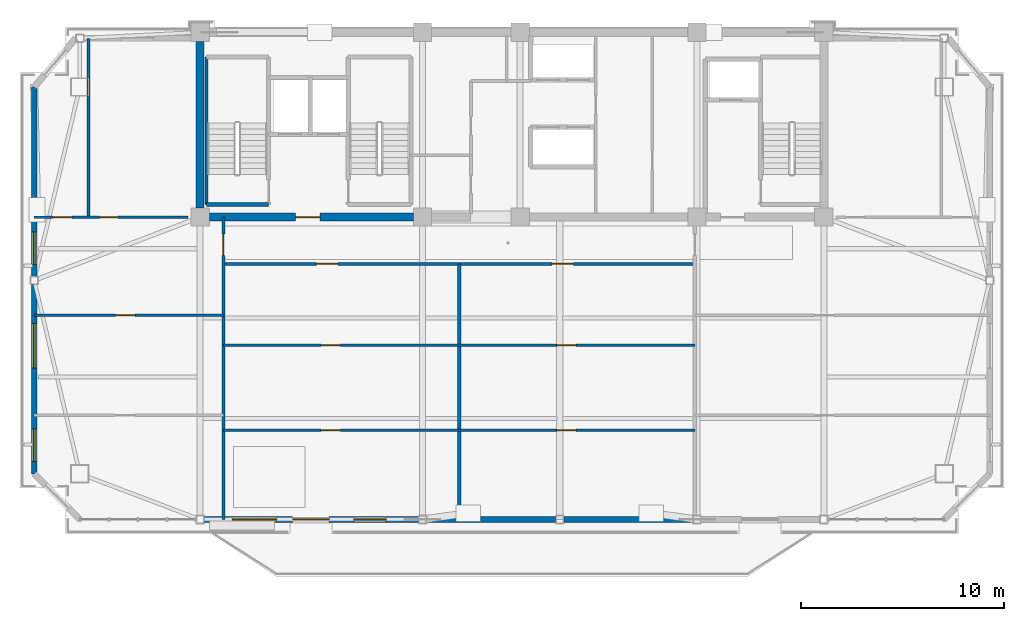
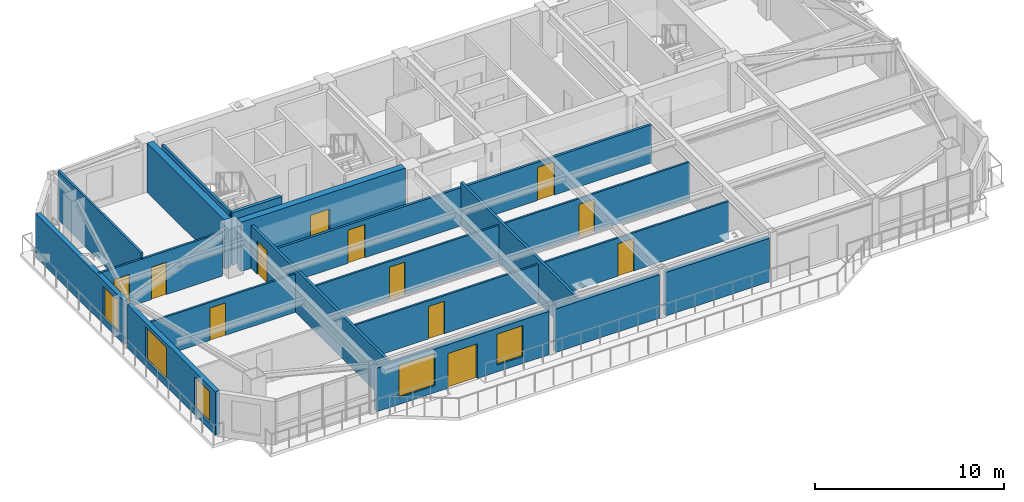
# One storey, part 6 of 13: 19 walls, 12 doors, 5 windows, 17 openings.
"""IFC4 building model written with IfcOpenShell, lengths in metres."""

from ifc_helpers import new_model, si_unit, direction, frame, frame_2d, origin, place, context, subcontext, project, spatial, rectangle, extrude, source, transform, mapped, material, layer, layer_set, type_object, element, fill, save


model = new_model("IFC4")

# Units and contexts
model_context = context("Model", 3, precision=1e-05, world=origin(), true_north=direction((0.0, 1.0)))
body_context = subcontext(model_context, "Body", "Model", "MODEL_VIEW")
ifc_project = project(units=[si_unit("LENGTHUNIT", "METRE"), si_unit("AREAUNIT", "SQUARE_METRE"), si_unit("VOLUMEUNIT", "CUBIC_METRE"), si_unit("PLANEANGLEUNIT", "RADIAN"), si_unit("MASSUNIT", "GRAM", prefix="KILO")], contexts=[model_context])

# Site, building, storey
site_placement = place(None, origin())
site = spatial("IfcSite", under=ifc_project, at=site_placement, CompositionType="ELEMENT")
building_placement = place(site_placement, origin())
building = spatial("IfcBuilding", under=site, at=building_placement, Name="Giltprow Tower", CompositionType="ELEMENT")
storey_placement = place(building_placement, frame((0.0, 0.0, 335.699951171875)))
storey = spatial("IfcBuildingStorey", under=building, at=storey_placement, Name="L87", CompositionType="ELEMENT", Elevation=335.699951171875)

# Wall, openings, windows, door
ifc_material_1 = material(Name="Precast concrete C40", Category="concrete")
ifc_layer_1 = layer(ifc_material_1, 0.280029296875, Name="Precast concrete C40")
ifc_layer_set_1 = layer_set([ifc_layer_1], Name="Precast concrete C40")
wall_type_1 = type_object("IfcWallType", Name="EW-TOW-BRONZE-280", PredefinedType="SOLIDWALL", material=ifc_layer_set_1)
wall_1_placement = place(storey_placement, frame((20.050048828125, 22.568115234375, 0.0), z_axis=(0.0, 0.0, 1.0), x_axis=(1.0, 0.0, 0.0)))
wall_1 = element("IfcWall", 1, at=wall_1_placement, inside=storey, type_object=wall_type_1, Name="L87 South Expressed Frame Wall 2", PredefinedType="SOLIDWALL", context=body_context, shape_type="SweptSolid", body=[
    extrude(rectangle(XDim=10.550048828125, YDim=0.280029296875, at=frame_2d((5.27490234375, 0.0))), origin(), (0.0, 0.0, 1.0), 2.81494140625),
])
opening_1_placement = place(wall_1_placement, frame((4.35009765625, 0.0, 0.0)))
opening_1 = element("IfcOpeningElement", 2, at=opening_1_placement, cuts=wall_1, Name="Opening ED25", PredefinedType="OPENING", context=body_context, shape_type="SweptSolid", body=[
    extrude(rectangle(XDim=1.800048828125, YDim=2.25, at=frame_2d((0.89990234375, 1.125))), frame((0.0, 0.14990234375, 0.0), z_axis=(0.0, -1.0, 0.0), x_axis=(1.0, 0.0, 0.0)), (0.0, 0.0, 1.0), 0.300048828125),
])
opening_2_placement = place(wall_1_placement, frame((1.3701171875, 0.0, 0.449951171875)))
opening_2 = element("IfcOpeningElement", 3, at=opening_2_placement, cuts=wall_1, Name="Opening WN27", PredefinedType="OPENING", context=body_context, shape_type="SweptSolid", body=[
    extrude(rectangle(XDim=2.199951171875, YDim=2.10009765625, at=frame_2d((1.10009765625, 1.050048828125))), frame((0.0, 0.14990234375, 0.0), z_axis=(0.0, -1.0, 0.0), x_axis=(1.0, 0.0, 0.0)), (0.0, 0.0, 1.0), 0.300048828125),
])
opening_3_placement = place(wall_1_placement, frame((7.35009765625, 0.0, 0.449951171875)))
opening_3 = element("IfcOpeningElement", 4, at=opening_3_placement, cuts=wall_1, Name="Opening WN17", PredefinedType="OPENING", context=body_context, shape_type="SweptSolid", body=[
    extrude(rectangle(XDim=1.60009765625, YDim=2.0, at=frame_2d((0.800048828125, 1.0))), frame((0.0, 0.14990234375, 0.0), z_axis=(0.0, -1.0, 0.0), x_axis=(1.0, 0.0, 0.0)), (0.0, 0.0, 1.0), 0.300048828125),
])
ifc_material_2 = material(Name="Insulated glass", Category="glass")
window_type_1 = type_object("IfcWindowType", Name="WN-COR-1600x2000", PartitioningType="SINGLE_PANEL", PredefinedType="WINDOW", material=ifc_material_2)
shared_shape_1 = source(origin(), body_context, "Body", "SweptSolid", [
    extrude(rectangle(XDim=1.60009765625, YDim=2.0, at=frame_2d((0.800048828125, 1.0))), frame((0.0, 0.030029296875, 0.0), z_axis=(0.0, -1.0, 0.0), x_axis=(1.0, 0.0, 0.0)), (0.0, 0.0, 1.0), 0.06005859375),
])
window_1_placement = place(opening_3_placement, origin())
window_1 = element("IfcWindow", 5, at=window_1_placement, inside=storey, type_object=window_type_1, Name="L87 South Window 2B", OverallHeight=2.0, OverallWidth=1.60009765625, PartitioningType="SINGLE_PANEL", PredefinedType="WINDOW", context=body_context, shape_type="MappedRepresentation", body=[
    mapped(shared_shape_1, transform((0.0, 0.0, 0.0), x_axis=(1.0, 0.0, 0.0), y_axis=(0.0, 1.0, 0.0), z_axis=(0.0, 0.0, 1.0), scale=1.0)),
])
fill(opening_3, window_1)
ifc_material_3 = material(Name="Anodized bronze and glass", Category="glass")
door_type_1 = type_object("IfcDoorType", Name="DR-BALC-SLIDE-1800", OperationType="SLIDING_TO_LEFT", PredefinedType="DOOR", material=ifc_material_3)
shared_shape_2 = source(origin(), body_context, "Body", "SweptSolid", [
    extrude(rectangle(XDim=1.800048828125, YDim=2.25, at=frame_2d((0.89990234375, 1.125))), frame((0.0, 0.02490234375, 0.0), z_axis=(0.0, -1.0, 0.0), x_axis=(1.0, 0.0, 0.0)), (0.0, 0.0, 1.0), 0.050048828125),
])
door_1_placement = place(opening_1_placement, origin())
door_1 = element("IfcDoor", 6, at=door_1_placement, inside=storey, type_object=door_type_1, Name="L87 Waterfront Balcony Sliding Door 1", OperationType="SLIDING_TO_LEFT", OverallHeight=2.25, OverallWidth=1.800048828125, PredefinedType="DOOR", context=body_context, shape_type="MappedRepresentation", body=[
    mapped(shared_shape_2, transform((0.0, 0.0, 0.0), x_axis=(1.0, 0.0, 0.0), y_axis=(0.0, 1.0, 0.0), z_axis=(0.0, 0.0, 1.0), scale=1.0)),
])
fill(opening_1, door_1)
window_type_2 = type_object("IfcWindowType", Name="WN-RES-2200x2100", PartitioningType="TRIPLE_PANEL_VERTICAL", PredefinedType="WINDOW", material=ifc_material_2)
shared_shape_3 = source(origin(), body_context, "Body", "SweptSolid", [
    extrude(rectangle(XDim=2.199951171875, YDim=2.10009765625, at=frame_2d((1.10009765625, 1.050048828125))), frame((0.0, 0.030029296875, 0.0), z_axis=(0.0, -1.0, 0.0), x_axis=(1.0, 0.0, 0.0)), (0.0, 0.0, 1.0), 0.06005859375),
])
window_2_placement = place(opening_2_placement, origin())
window_2 = element("IfcWindow", 7, at=window_2_placement, inside=storey, type_object=window_type_2, Name="L87 South Window 2A", OverallHeight=2.10009765625, OverallWidth=2.199951171875, PartitioningType="SINGLE_PANEL", PredefinedType="WINDOW", context=body_context, shape_type="MappedRepresentation", body=[
    mapped(shared_shape_3, transform((0.0, 0.0, 0.0), x_axis=(1.0, 0.0, 0.0), y_axis=(0.0, 1.0, 0.0), z_axis=(0.0, 0.0, 1.0), scale=1.0)),
])
fill(opening_2, window_2)

# Walls
for number, where, z_axis, x_axis, name in (
    (8, (31.0, 22.568115234375, 0.0), (0.0, 0.0, 1.0), (1.0, 0.0, 0.0), "L87 South Expressed Frame Wall 3"),
    (9, (37.75, 22.568115234375, 0.0), (0.0, 0.0, 1.0), (1.0, 0.0, 0.0), "L87 South Expressed Frame Wall 4"),
):
    element("IfcWall", number, at=place(storey_placement, frame(where, z_axis=z_axis, x_axis=x_axis)), inside=storey, type_object=wall_type_1, Name=name, PredefinedType="SOLIDWALL", context=body_context, shape_type="SweptSolid", body=[
        extrude(rectangle(XDim=6.35009765625, YDim=0.280029296875, at=frame_2d((3.175048828125, 0.0))), origin(), (0.0, 0.0, 1.0), 2.81494140625),
    ])

# Wall, openings, windows
wall_2_placement = place(storey_placement, frame((11.68505859375, 24.81396484375, 0.0), z_axis=(0.0, 0.0, 1.0), x_axis=(0.0, 1.0, 0.0)))
wall_2 = element("IfcWall", 10, at=wall_2_placement, inside=storey, type_object=wall_type_1, Name="L87 W Wing Masonry Wall 1", PredefinedType="SOLIDWALL", context=body_context, shape_type="SweptSolid", body=[
    extrude(rectangle(XDim=9.320068359375, YDim=0.280029296875, at=frame_2d((4.66015625, 0.0))), origin(), (0.0, 0.0, 1.0), 2.81494140625),
])
opening_4_placement = place(wall_2_placement, frame((0.60400390625, 0.0, 0.449951171875)))
opening_4 = element("IfcOpeningElement", 11, at=opening_4_placement, cuts=wall_2, Name="Opening WN17", PredefinedType="OPENING", context=body_context, shape_type="SweptSolid", body=[
    extrude(rectangle(XDim=1.60009765625, YDim=2.0, at=frame_2d((0.800048828125, 1.0))), frame((0.0, 0.14990234375, 0.0), z_axis=(0.0, -1.0, 0.0), x_axis=(1.0, 0.0, 0.0)), (0.0, 0.0, 1.0), 0.300048828125),
])
opening_5_placement = place(wall_2_placement, frame((5.201904296875, 0.0, 0.449951171875)))
opening_5 = element("IfcOpeningElement", 12, at=opening_5_placement, cuts=wall_2, Name="Opening WN27", PredefinedType="OPENING", context=body_context, shape_type="SweptSolid", body=[
    extrude(rectangle(XDim=2.199951171875, YDim=2.10009765625, at=frame_2d((1.10009765625, 1.050048828125))), frame((0.0, 0.14990234375, 0.0), z_axis=(0.0, -1.0, 0.0), x_axis=(1.0, 0.0, 0.0)), (0.0, 0.0, 1.0), 0.300048828125),
])
window_3_placement = place(opening_4_placement, origin())
window_3 = element("IfcWindow", 13, at=window_3_placement, inside=storey, type_object=window_type_1, Name="L87 W Wing Window 1-1A", OverallHeight=2.0, OverallWidth=1.60009765625, PartitioningType="SINGLE_PANEL", PredefinedType="WINDOW", context=body_context, shape_type="MappedRepresentation", body=[
    mapped(shared_shape_1, transform((0.0, 0.0, 0.0), x_axis=(1.0, 0.0, 0.0), y_axis=(0.0, 1.0, 0.0), z_axis=(0.0, 0.0, 1.0), scale=1.0)),
])
fill(opening_4, window_3)
window_4_placement = place(opening_5_placement, origin())
window_4 = element("IfcWindow", 14, at=window_4_placement, inside=storey, type_object=window_type_2, Name="L87 W Wing Window 1-1B", OverallHeight=2.10009765625, OverallWidth=2.199951171875, PartitioningType="SINGLE_PANEL", PredefinedType="WINDOW", context=body_context, shape_type="MappedRepresentation", body=[
    mapped(shared_shape_3, transform((0.0, 0.0, 0.0), x_axis=(1.0, 0.0, 0.0), y_axis=(0.0, 1.0, 0.0), z_axis=(0.0, 0.0, 1.0), scale=1.0)),
])
fill(opening_5, window_4)

# Wall, opening, window
wall_3_placement = place(storey_placement, frame((11.68505859375, 34.533935546875, 0.0), z_axis=(0.0, 0.0, 1.0), x_axis=(0.0, 1.0, 0.0)))
wall_3 = element("IfcWall", 15, at=wall_3_placement, inside=storey, type_object=wall_type_1, Name="L87 W Wing Masonry Wall 2", PredefinedType="SOLIDWALL", context=body_context, shape_type="SweptSolid", body=[
    extrude(rectangle(XDim=9.320068359375, YDim=0.280029296875, at=frame_2d((4.66015625, 0.0))), origin(), (0.0, 0.0, 1.0), 2.81494140625),
])
opening_6_placement = place(wall_3_placement, frame((0.589111328125, 0.0, 0.449951171875)))
opening_6 = element("IfcOpeningElement", 16, at=opening_6_placement, cuts=wall_3, Name="Opening WN17", PredefinedType="OPENING", context=body_context, shape_type="SweptSolid", body=[
    extrude(rectangle(XDim=1.60009765625, YDim=2.0, at=frame_2d((0.800048828125, 1.0))), frame((0.0, 0.14990234375, 0.0), z_axis=(0.0, -1.0, 0.0), x_axis=(1.0, 0.0, 0.0)), (0.0, 0.0, 1.0), 0.300048828125),
])
window_5_placement = place(opening_6_placement, origin())
window_5 = element("IfcWindow", 17, at=window_5_placement, inside=storey, type_object=window_type_1, Name="L87 W Wing Window 2-1", OverallHeight=2.0, OverallWidth=1.60009765625, PartitioningType="SINGLE_PANEL", PredefinedType="WINDOW", context=body_context, shape_type="MappedRepresentation", body=[
    mapped(shared_shape_1, transform((0.0, 0.0, 0.0), x_axis=(1.0, 0.0, 0.0), y_axis=(0.0, 1.0, 0.0), z_axis=(0.0, 0.0, 1.0), scale=1.0)),
])
fill(opening_6, window_5)

# Wall, openings, doors
ifc_material_4 = material(Name="Gypsum stud partition", Category="gypsum")
ifc_layer_2 = layer(ifc_material_4, 0.14990234375, Name="Gypsum stud partition")
ifc_layer_set_2 = layer_set([ifc_layer_2], Name="Gypsum stud partition")
wall_type_2 = type_object("IfcWallType", Name="IW-CORR-150", PredefinedType="PARTITIONING", material=ifc_layer_set_2)
wall_4_placement = place(storey_placement, frame((21.0, 35.14990234375, 0.0), z_axis=(0.0, 0.0, 1.0), x_axis=(1.0, 0.0, 0.0)))
wall_4 = element("IfcWall", 18, at=wall_4_placement, inside=storey, type_object=wall_type_2, Name="L87 Residence Gallery Corridor Wall", PredefinedType="PARTITIONING", context=body_context, shape_type="SweptSolid", body=[
    extrude(rectangle(XDim=23.199951171875, YDim=0.14990234375, at=frame_2d((11.60009765625, 0.0))), origin(), (0.0, 0.0, 1.0), 2.469970703125),
])
opening_7_placement = place(wall_4_placement, frame((4.576904296875, 0.0, 0.0)))
opening_7 = element("IfcOpeningElement", 19, at=opening_7_placement, cuts=wall_4, Name="Opening ID31", PredefinedType="OPENING", context=body_context, shape_type="SweptSolid", body=[
    extrude(rectangle(XDim=1.050048828125, YDim=2.14990234375, at=frame_2d((0.52490234375, 1.074951171875))), frame((0.0, 0.0849609375, 0.0), z_axis=(0.0, -1.0, 0.0), x_axis=(1.0, 0.0, 0.0)), (0.0, 0.0, 1.0), 0.169921875),
])
opening_8_placement = place(wall_4_placement, frame((16.177001953125, 0.0, 0.0)))
opening_8 = element("IfcOpeningElement", 20, at=opening_8_placement, cuts=wall_4, Name="Opening ID31", PredefinedType="OPENING", context=body_context, shape_type="SweptSolid", body=[
    extrude(rectangle(XDim=1.050048828125, YDim=2.14990234375, at=frame_2d((0.52490234375, 1.074951171875))), frame((0.0, 0.0849609375, 0.0), z_axis=(0.0, -1.0, 0.0), x_axis=(1.0, 0.0, 0.0)), (0.0, 0.0, 1.0), 0.169921875),
])
ifc_material_5 = material(Name="Engineered timber", Category="wood")
door_type_2 = type_object("IfcDoorType", Name="DR-SUITE-1050", OperationType="SINGLE_SWING_LEFT", PredefinedType="DOOR", material=ifc_material_5)
shared_shape_4 = source(origin(), body_context, "Body", "SweptSolid", [
    extrude(rectangle(XDim=1.050048828125, YDim=2.14990234375, at=frame_2d((0.52490234375, 1.074951171875))), frame((0.0, 0.02490234375, 0.0), z_axis=(0.0, -1.0, 0.0), x_axis=(1.0, 0.0, 0.0)), (0.0, 0.0, 1.0), 0.050048828125),
])
door_2_placement = place(opening_7_placement, origin())
door_2 = element("IfcDoor", 21, at=door_2_placement, inside=storey, type_object=door_type_2, Name="L87 Residents Sky Club Lounge North Door", OperationType="SINGLE_SWING_RIGHT", OverallHeight=2.14990234375, OverallWidth=1.050048828125, PredefinedType="DOOR", context=body_context, shape_type="MappedRepresentation", body=[
    mapped(shared_shape_4, transform((0.0, 0.0, 0.0), x_axis=(1.0, 0.0, 0.0), y_axis=(0.0, 1.0, 0.0), z_axis=(0.0, 0.0, 1.0), scale=1.0)),
])
fill(opening_7, door_2)
door_3_placement = place(opening_8_placement, origin())
door_3 = element("IfcDoor", 22, at=door_3_placement, inside=storey, type_object=door_type_2, Name="L87 Residents Sky Club Lounge North Door", OperationType="SINGLE_SWING_LEFT", OverallHeight=2.14990234375, OverallWidth=1.050048828125, PredefinedType="DOOR", context=body_context, shape_type="MappedRepresentation", body=[
    mapped(shared_shape_4, transform((0.0, 0.0, 0.0), x_axis=(1.0, 0.0, 0.0), y_axis=(0.0, 1.0, 0.0), z_axis=(0.0, 0.0, 1.0), scale=1.0)),
])
fill(opening_8, door_3)

# Wall, opening, door
ifc_layer_3 = layer(ifc_material_4, 0.159912109375, Name="Gypsum stud partition")
ifc_layer_set_3 = layer_set([ifc_layer_3], Name="Gypsum stud partition")
wall_type_3 = type_object("IfcWallType", Name="IW-DEMISE-160", PredefinedType="PARTITIONING", material=ifc_layer_set_3)
wall_5_placement = place(storey_placement, frame((21.0, 22.568115234375, 0.0), z_axis=(0.0, 0.0, 1.0), x_axis=(0.0, 1.0, 0.0)))
wall_5 = element("IfcWall", 23, at=wall_5_placement, inside=storey, type_object=wall_type_3, Name="L87 Apartment Party Wall 1", PredefinedType="PARTITIONING", context=body_context, shape_type="SweptSolid", body=[
    extrude(rectangle(XDim=14.8818359375, YDim=0.159912109375, at=frame_2d((7.44091796875, 0.0))), origin(), (0.0, 0.0, 1.0), 2.77001953125),
])
opening_9_placement = place(wall_5_placement, frame((13.001953125, 0.0, 0.0)))
opening_9 = element("IfcOpeningElement", 24, at=opening_9_placement, cuts=wall_5, Name="Opening ID31", PredefinedType="OPENING", context=body_context, shape_type="SweptSolid", body=[
    extrude(rectangle(XDim=1.050048828125, YDim=2.14990234375, at=frame_2d((0.52490234375, 1.074951171875))), frame((0.0, 0.08984375, 0.0), z_axis=(0.0, -1.0, 0.0), x_axis=(1.0, 0.0, 0.0)), (0.0, 0.0, 1.0), 0.179931640625),
])
door_4_placement = place(opening_9_placement, origin())
door_4 = element("IfcDoor", 25, at=door_4_placement, inside=storey, type_object=door_type_2, Name="L87 Sky Concierge Reception 1 Corridor End Door", OperationType="SINGLE_SWING_LEFT", OverallHeight=2.14990234375, OverallWidth=1.050048828125, PredefinedType="DOOR", context=body_context, shape_type="MappedRepresentation", body=[
    mapped(shared_shape_4, transform((0.0, 0.0, 0.0), x_axis=(1.0, 0.0, 0.0), y_axis=(0.0, 1.0, 0.0), z_axis=(0.0, 0.0, 1.0), scale=1.0)),
])
fill(opening_9, door_4)

# Wall
wall_6_placement = place(storey_placement, frame((32.60009765625, 22.568115234375, 0.0), z_axis=(0.0, 0.0, 1.0), x_axis=(0.0, 1.0, 0.0)))
element("IfcWall", 26, at=wall_6_placement, inside=storey, type_object=wall_type_3, Name="L87 Apartment Party Wall 2", PredefinedType="PARTITIONING", context=body_context, shape_type="SweptSolid", body=[
    extrude(rectangle(XDim=12.581787109375, YDim=0.159912109375, at=frame_2d((6.291015625, 0.0))), origin(), (0.0, 0.0, 1.0), 2.77001953125),
])

# Wall, opening, door
ifc_layer_4 = layer(ifc_material_4, 0.1201171875, Name="Gypsum stud partition")
ifc_layer_set_4 = layer_set([ifc_layer_4], Name="Gypsum stud partition")
wall_type_4 = type_object("IfcWallType", Name="IW-ROOM-120", PredefinedType="PARTITIONING", material=ifc_layer_set_4)
wall_7_placement = place(storey_placement, frame((11.68505859375, 32.615966796875, 0.0), z_axis=(0.0, 0.0, 1.0), x_axis=(1.0, 0.0, 0.0)))
wall_7 = element("IfcWall", 27, at=wall_7_placement, inside=storey, type_object=wall_type_4, Name="L87 Special Split 2", PredefinedType="PARTITIONING", context=body_context, shape_type="SweptSolid", body=[
    extrude(rectangle(XDim=9.31494140625, YDim=0.1201171875, at=frame_2d((4.657470703125, 0.0))), origin(), (0.0, 0.0, 1.0), 2.469970703125),
])
opening_10_placement = place(wall_7_placement, frame((4.011962890625, 0.0, 0.0)))
opening_10 = element("IfcOpeningElement", 28, at=opening_10_placement, cuts=wall_7, Name="Opening ID11", PredefinedType="OPENING", context=body_context, shape_type="SweptSolid", body=[
    extrude(rectangle(XDim=0.949951171875, YDim=2.10009765625, at=frame_2d((0.47509765625, 1.050048828125))), frame((0.0, 0.070068359375, 0.0), z_axis=(0.0, -1.0, 0.0), x_axis=(1.0, 0.0, 0.0)), (0.0, 0.0, 1.0), 0.14013671875),
])
door_type_3 = type_object("IfcDoorType", Name="DR-ROOM-950", OperationType="SINGLE_SWING_RIGHT", PredefinedType="DOOR", material=ifc_material_5)
shared_shape_5 = source(origin(), body_context, "Body", "SweptSolid", [
    extrude(rectangle(XDim=0.949951171875, YDim=2.10009765625, at=frame_2d((0.47509765625, 1.050048828125))), frame((0.0, 0.02490234375, 0.0), z_axis=(0.0, -1.0, 0.0), x_axis=(1.0, 0.0, 0.0)), (0.0, 0.0, 1.0), 0.050048828125),
])
door_5_placement = place(opening_10_placement, origin())
door_5 = element("IfcDoor", 29, at=door_5_placement, inside=storey, type_object=door_type_3, Name="L87 Sky Concierge Reception 1 Mid Door", OperationType="SINGLE_SWING_RIGHT", OverallHeight=2.10009765625, OverallWidth=0.949951171875, PredefinedType="DOOR", context=body_context, shape_type="MappedRepresentation", body=[
    mapped(shared_shape_5, transform((0.0, 0.0, 0.0), x_axis=(1.0, 0.0, 0.0), y_axis=(0.0, 1.0, 0.0), z_axis=(0.0, 0.0, 1.0), scale=1.0)),
])
fill(opening_10, door_5)

wall_8_placement = place(storey_placement, frame((21.0, 26.950927734375, 0.0), z_axis=(0.0, 0.0, 1.0), x_axis=(1.0, 0.0, 0.0)))
wall_8 = element("IfcWall", 30, at=wall_8_placement, inside=storey, type_object=wall_type_4, Name="L87 Special Split 1", PredefinedType="PARTITIONING", context=body_context, shape_type="SweptSolid", body=[
    extrude(rectangle(XDim=11.60009765625, YDim=0.1201171875, at=frame_2d((5.800048828125, 0.0))), origin(), (0.0, 0.0, 1.0), 2.469970703125),
])
opening_11_placement = place(wall_8_placement, frame((4.805908203125, 0.0, 0.0)))
opening_11 = element("IfcOpeningElement", 31, at=opening_11_placement, cuts=wall_8, Name="Opening ID11", PredefinedType="OPENING", context=body_context, shape_type="SweptSolid", body=[
    extrude(rectangle(XDim=0.949951171875, YDim=2.10009765625, at=frame_2d((0.47509765625, 1.050048828125))), frame((0.0, 0.070068359375, 0.0), z_axis=(0.0, -1.0, 0.0), x_axis=(1.0, 0.0, 0.0)), (0.0, 0.0, 1.0), 0.14013671875),
])
door_6_placement = place(opening_11_placement, origin())
door_6 = element("IfcDoor", 32, at=door_6_placement, inside=storey, type_object=door_type_3, Name="L87 Residents Sky Club Lounge South Door", OperationType="SINGLE_SWING_RIGHT", OverallHeight=2.10009765625, OverallWidth=0.949951171875, PredefinedType="DOOR", context=body_context, shape_type="MappedRepresentation", body=[
    mapped(shared_shape_5, transform((0.0, 0.0, 0.0), x_axis=(1.0, 0.0, 0.0), y_axis=(0.0, 1.0, 0.0), z_axis=(0.0, 0.0, 1.0), scale=1.0)),
])
fill(opening_11, door_6)

wall_9_placement = place(storey_placement, frame((21.0, 31.133056640625, 0.0), z_axis=(0.0, 0.0, 1.0), x_axis=(1.0, 0.0, 0.0)))
wall_9 = element("IfcWall", 33, at=wall_9_placement, inside=storey, type_object=wall_type_4, Name="L87 Special Split 2", PredefinedType="PARTITIONING", context=body_context, shape_type="SweptSolid", body=[
    extrude(rectangle(XDim=11.60009765625, YDim=0.1201171875, at=frame_2d((5.800048828125, 0.0))), origin(), (0.0, 0.0, 1.0), 2.469970703125),
])
opening_12_placement = place(wall_9_placement, frame((4.805908203125, 0.0, 0.0)))
opening_12 = element("IfcOpeningElement", 34, at=opening_12_placement, cuts=wall_9, Name="Opening ID11", PredefinedType="OPENING", context=body_context, shape_type="SweptSolid", body=[
    extrude(rectangle(XDim=0.949951171875, YDim=2.10009765625, at=frame_2d((0.47509765625, 1.050048828125))), frame((0.0, 0.070068359375, 0.0), z_axis=(0.0, -1.0, 0.0), x_axis=(1.0, 0.0, 0.0)), (0.0, 0.0, 1.0), 0.14013671875),
])
door_7_placement = place(opening_12_placement, origin())
door_7 = element("IfcDoor", 35, at=door_7_placement, inside=storey, type_object=door_type_3, Name="L87 Residents Sky Club Lounge Mid Door", OperationType="SINGLE_SWING_LEFT", OverallHeight=2.10009765625, OverallWidth=0.949951171875, PredefinedType="DOOR", context=body_context, shape_type="MappedRepresentation", body=[
    mapped(shared_shape_5, transform((0.0, 0.0, 0.0), x_axis=(1.0, 0.0, 0.0), y_axis=(0.0, 1.0, 0.0), z_axis=(0.0, 0.0, 1.0), scale=1.0)),
])
fill(opening_12, door_7)

wall_10_placement = place(storey_placement, frame((32.60009765625, 26.950927734375, 0.0), z_axis=(0.0, 0.0, 1.0), x_axis=(1.0, 0.0, 0.0)))
wall_10 = element("IfcWall", 36, at=wall_10_placement, inside=storey, type_object=wall_type_4, Name="L87 Special Split 1", PredefinedType="PARTITIONING", context=body_context, shape_type="SweptSolid", body=[
    extrude(rectangle(XDim=11.599853515625, YDim=0.1201171875, at=frame_2d((5.7998046875, 0.0))), origin(), (0.0, 0.0, 1.0), 2.469970703125),
])
opening_13_placement = place(wall_10_placement, frame((4.805908203125, 0.0, 0.0)))
opening_13 = element("IfcOpeningElement", 37, at=opening_13_placement, cuts=wall_10, Name="Opening ID11", PredefinedType="OPENING", context=body_context, shape_type="SweptSolid", body=[
    extrude(rectangle(XDim=0.949951171875, YDim=2.10009765625, at=frame_2d((0.47509765625, 1.050048828125))), frame((0.0, 0.070068359375, 0.0), z_axis=(0.0, -1.0, 0.0), x_axis=(1.0, 0.0, 0.0)), (0.0, 0.0, 1.0), 0.14013671875),
])
door_8_placement = place(opening_13_placement, origin())
door_8 = element("IfcDoor", 38, at=door_8_placement, inside=storey, type_object=door_type_3, Name="L87 Residents Sky Club Lounge South Door", OperationType="SINGLE_SWING_LEFT", OverallHeight=2.10009765625, OverallWidth=0.949951171875, PredefinedType="DOOR", context=body_context, shape_type="MappedRepresentation", body=[
    mapped(shared_shape_5, transform((0.0, 0.0, 0.0), x_axis=(1.0, 0.0, 0.0), y_axis=(0.0, 1.0, 0.0), z_axis=(0.0, 0.0, 1.0), scale=1.0)),
])
fill(opening_13, door_8)

wall_11_placement = place(storey_placement, frame((32.60009765625, 31.133056640625, 0.0), z_axis=(0.0, 0.0, 1.0), x_axis=(1.0, 0.0, 0.0)))
wall_11 = element("IfcWall", 39, at=wall_11_placement, inside=storey, type_object=wall_type_4, Name="L87 Special Split 2", PredefinedType="PARTITIONING", context=body_context, shape_type="SweptSolid", body=[
    extrude(rectangle(XDim=11.599853515625, YDim=0.1201171875, at=frame_2d((5.7998046875, 0.0))), origin(), (0.0, 0.0, 1.0), 2.469970703125),
])
opening_14_placement = place(wall_11_placement, frame((4.805908203125, 0.0, 0.0)))
opening_14 = element("IfcOpeningElement", 40, at=opening_14_placement, cuts=wall_11, Name="Opening ID11", PredefinedType="OPENING", context=body_context, shape_type="SweptSolid", body=[
    extrude(rectangle(XDim=0.949951171875, YDim=2.10009765625, at=frame_2d((0.47509765625, 1.050048828125))), frame((0.0, 0.070068359375, 0.0), z_axis=(0.0, -1.0, 0.0), x_axis=(1.0, 0.0, 0.0)), (0.0, 0.0, 1.0), 0.14013671875),
])
door_9_placement = place(opening_14_placement, origin())
door_9 = element("IfcDoor", 41, at=door_9_placement, inside=storey, type_object=door_type_3, Name="L87 Residents Sky Club Lounge Mid Door", OperationType="SINGLE_SWING_RIGHT", OverallHeight=2.10009765625, OverallWidth=0.949951171875, PredefinedType="DOOR", context=body_context, shape_type="MappedRepresentation", body=[
    mapped(shared_shape_5, transform((0.0, 0.0, 0.0), x_axis=(1.0, 0.0, 0.0), y_axis=(0.0, 1.0, 0.0), z_axis=(0.0, 0.0, 1.0), scale=1.0)),
])
fill(opening_14, door_9)

# Walls
ifc_material_6 = material(Name="Concrete C45", Category="concrete")
ifc_layer_5 = layer(ifc_material_6, 0.139892578125, Name="Concrete C45")
ifc_layer_set_5 = layer_set([ifc_layer_5], Name="Concrete C45")
wall_type_5 = type_object("IfcWallType", Name="IW-STAIR-140", PredefinedType="SOLIDWALL", material=ifc_layer_set_5)
wall_12_placement = place(storey_placement, frame((20.169921875, 38.070068359375, 0.0), z_axis=(0.0, 0.0, 1.0), x_axis=(0.0, 1.0, 0.0)))
element("IfcWall", 42, at=wall_12_placement, inside=storey, type_object=wall_type_5, Name="L87 Stair ST-1 West Bearing Wall", PredefinedType="SOLIDWALL", context=body_context, shape_type="SweptSolid", body=[
    extrude(rectangle(XDim=7.25, YDim=0.139892578125, at=frame_2d((3.625, 0.0))), origin(), (0.0, 0.0, 1.0), 3.400146484375),
])
ifc_material_7 = material(Name="Concrete C40", Category="concrete")
ifc_layer_6 = layer(ifc_material_7, 0.199951171875, Name="Concrete C40")
ifc_layer_set_6 = layer_set([ifc_layer_6], Name="Concrete C40")
wall_type_6 = type_object("IfcWallType", Name="IW-STAIR-200", PredefinedType="SOLIDWALL", material=ifc_layer_set_6)
wall_13_placement = place(storey_placement, frame((20.169921875, 38.070068359375, 0.0), z_axis=(0.0, 0.0, 1.0), x_axis=(1.0, 0.0, 0.0)))
element("IfcWall", 43, at=wall_13_placement, inside=storey, type_object=wall_type_6, Name="L87 Stair ST-1 South Bearing Wall", PredefinedType="SOLIDWALL", context=body_context, shape_type="SweptSolid", body=[
    extrude(rectangle(XDim=3.050048828125, YDim=0.199951171875, at=frame_2d((1.52490234375, 0.0))), origin(), (0.0, 0.0, 1.0), 3.400146484375),
])

# Wall, openings, doors
ifc_material_8 = material(Name="Concrete C30", Category="concrete")
ifc_layer_7 = layer(ifc_material_8, 0.1298828125, Name="Concrete C30")
ifc_layer_set_7 = layer_set([ifc_layer_7], Name="Concrete C30")
wall_type_7 = type_object("IfcWallType", Name="IW-WET-130", PredefinedType="PARTITIONING", material=ifc_layer_set_7)
wall_14_placement = place(storey_placement, frame((11.68505859375, 37.449951171875, 0.0), z_axis=(0.0, 0.0, 1.0), x_axis=(1.0, 0.0, 0.0)))
wall_14 = element("IfcWall", 44, at=wall_14_placement, inside=storey, type_object=wall_type_7, Name="L87 NW Wing South Wall", PredefinedType="PARTITIONING", context=body_context, shape_type="SweptSolid", body=[
    extrude(rectangle(XDim=7.56494140625, YDim=0.1298828125, at=frame_2d((3.782470703125, 0.0))), origin(), (0.0, 0.0, 1.0), 2.820068359375),
])
opening_15_placement = place(wall_14_placement, frame((0.89990234375, 0.0, 0.0)))
opening_15 = element("IfcOpeningElement", 45, at=opening_15_placement, cuts=wall_14, Name="Opening ID11", PredefinedType="OPENING", context=body_context, shape_type="SweptSolid", body=[
    extrude(rectangle(XDim=0.949951171875, YDim=2.10009765625, at=frame_2d((0.47509765625, 1.050048828125))), frame((0.0, 0.074951171875, 0.0), z_axis=(0.0, -1.0, 0.0), x_axis=(1.0, 0.0, 0.0)), (0.0, 0.0, 1.0), 0.14990234375),
])
opening_16_placement = place(wall_14_placement, frame((3.219970703125, 0.0, 0.0)))
opening_16 = element("IfcOpeningElement", 46, at=opening_16_placement, cuts=wall_14, Name="Opening ID15", PredefinedType="OPENING", context=body_context, shape_type="SweptSolid", body=[
    extrude(rectangle(XDim=0.89990234375, YDim=2.10009765625, at=frame_2d((0.449951171875, 1.050048828125))), frame((0.0, 0.074951171875, 0.0), z_axis=(0.0, -1.0, 0.0), x_axis=(1.0, 0.0, 0.0)), (0.0, 0.0, 1.0), 0.14990234375),
])
door_type_4 = type_object("IfcDoorType", Name="DR-WC-900", OperationType="SINGLE_SWING_LEFT", PredefinedType="DOOR", material=ifc_material_5)
shared_shape_6 = source(origin(), body_context, "Body", "SweptSolid", [
    extrude(rectangle(XDim=0.89990234375, YDim=2.10009765625, at=frame_2d((0.449951171875, 1.050048828125))), frame((0.0, 0.02490234375, 0.0), z_axis=(0.0, -1.0, 0.0), x_axis=(1.0, 0.0, 0.0)), (0.0, 0.0, 1.0), 0.050048828125),
])
door_10_placement = place(opening_16_placement, origin())
door_10 = element("IfcDoor", 47, at=door_10_placement, inside=storey, type_object=door_type_4, Name="L87 NW Washroom Door", OperationType="SINGLE_SWING_RIGHT", OverallHeight=2.10009765625, OverallWidth=0.89990234375, PredefinedType="DOOR", context=body_context, shape_type="MappedRepresentation", body=[
    mapped(shared_shape_6, transform((0.0, 0.0, 0.0), x_axis=(1.0, 0.0, 0.0), y_axis=(0.0, 1.0, 0.0), z_axis=(0.0, 0.0, 1.0), scale=1.0)),
])
fill(opening_16, door_10)
door_11_placement = place(opening_15_placement, origin())
door_11 = element("IfcDoor", 48, at=door_11_placement, inside=storey, type_object=door_type_3, Name="L87 Residents Study Office West Door", OperationType="SINGLE_SWING_LEFT", OverallHeight=2.10009765625, OverallWidth=0.949951171875, PredefinedType="DOOR", context=body_context, shape_type="MappedRepresentation", body=[
    mapped(shared_shape_5, transform((0.0, 0.0, 0.0), x_axis=(1.0, 0.0, 0.0), y_axis=(0.0, 1.0, 0.0), z_axis=(0.0, 0.0, 1.0), scale=1.0)),
])
fill(opening_15, door_11)

# Wall
wall_15_placement = place(storey_placement, frame((14.35498046875, 37.449951171875, 0.0), z_axis=(0.0, 0.0, 1.0), x_axis=(0.0, 1.0, 0.0)))
element("IfcWall", 49, at=wall_15_placement, inside=storey, type_object=wall_type_7, Name="L87 NW Wing Divider", PredefinedType="PARTITIONING", context=body_context, shape_type="SweptSolid", body=[
    extrude(rectangle(XDim=8.800048828125, YDim=0.1298828125, at=frame_2d((4.39990234375, 0.0))), origin(), (0.0, 0.0, 1.0), 3.18505859375),
])

# Wall, opening, door
ifc_layer_8 = layer(ifc_material_6, 0.39990234375, Name="Concrete C45")
ifc_layer_set_8 = layer_set([ifc_layer_8], Name="Concrete C45")
wall_type_8 = type_object("IfcWallType", Name="SW-INT-400-C45", PredefinedType="SHEAR", material=ifc_layer_set_8)
wall_16_placement = place(storey_placement, frame((20.300048828125, 37.449951171875, 0.0), z_axis=(0.0, 0.0, 1.0), x_axis=(1.0, 0.0, 0.0)))
wall_16 = element("IfcWall", 50, at=wall_16_placement, inside=storey, type_object=wall_type_8, Name="L87 South Rear Core Shear Wall West", PredefinedType="SHEAR", context=body_context, shape_type="SweptSolid", body=[
    extrude(rectangle(XDim=10.050048828125, YDim=0.39990234375, at=frame_2d((5.02490234375, 0.0))), origin(), (0.0, 0.0, 1.0), 3.18505859375),
])
opening_17_placement = place(wall_16_placement, frame((4.25, 0.0, 0.0)))
opening_17 = element("IfcOpeningElement", 51, at=opening_17_placement, cuts=wall_16, Name="Opening ID19", PredefinedType="OPENING", context=body_context, shape_type="SweptSolid", body=[
    extrude(rectangle(XDim=1.199951171875, YDim=2.14990234375, at=frame_2d((0.60009765625, 1.074951171875))), frame((0.0, 0.2099609375, 0.0), z_axis=(0.0, -1.0, 0.0), x_axis=(1.0, 0.0, 0.0)), (0.0, 0.0, 1.0), 0.419921875),
])
ifc_material_9 = material(Name="Steel fire leaf", Category="steel")
door_type_5 = type_object("IfcDoorType", Name="DR-FFLOBBY-1200", OperationType="SINGLE_SWING_RIGHT", PredefinedType="DOOR", material=ifc_material_9)
shared_shape_7 = source(origin(), body_context, "Body", "SweptSolid", [
    extrude(rectangle(XDim=1.199951171875, YDim=2.14990234375, at=frame_2d((0.60009765625, 1.074951171875))), frame((0.0, 0.02490234375, 0.0), z_axis=(0.0, -1.0, 0.0), x_axis=(1.0, 0.0, 0.0)), (0.0, 0.0, 1.0), 0.050048828125),
])
door_12_placement = place(opening_17_placement, origin())
door_12 = element("IfcDoor", 52, at=door_12_placement, inside=storey, type_object=door_type_5, Name="L87 West Firefighting Lobby Entry Door", OperationType="SINGLE_SWING_LEFT", OverallHeight=2.14990234375, OverallWidth=1.199951171875, PredefinedType="DOOR", context=body_context, shape_type="MappedRepresentation", body=[
    mapped(shared_shape_7, transform((0.0, 0.0, 0.0), x_axis=(1.0, 0.0, 0.0), y_axis=(0.0, 1.0, 0.0), z_axis=(0.0, 0.0, 1.0), scale=1.0)),
])
fill(opening_17, door_12)

# Wall
wall_17_placement = place(storey_placement, frame((19.85009765625, 37.89990234375, 0.0), z_axis=(0.0, 0.0, 1.0), x_axis=(0.0, 1.0, 0.0)))
element("IfcWall", 53, at=wall_17_placement, inside=storey, type_object=wall_type_8, Name="L87 W Rear Core Shear Wall", PredefinedType="SHEAR", context=body_context, shape_type="SweptSolid", body=[
    extrude(rectangle(XDim=8.2001953125, YDim=0.39990234375, at=frame_2d((4.10009765625, 0.0))), origin(), (0.0, 0.0, 1.0), 3.18505859375),
])

save(model, "model.ifc")
